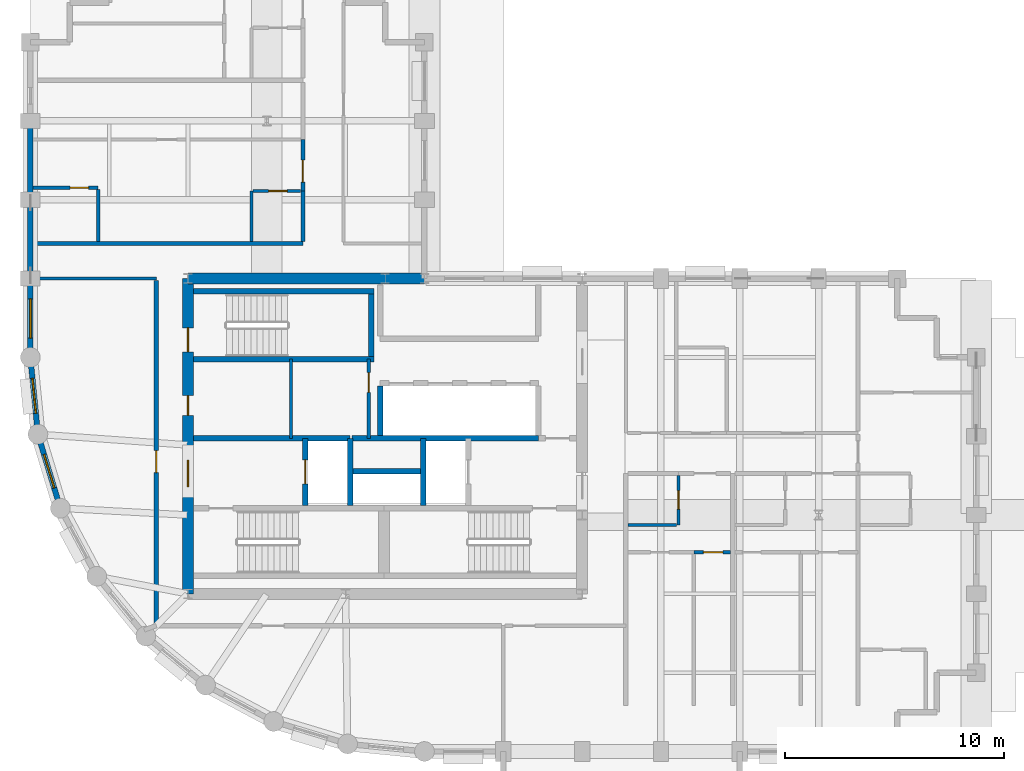
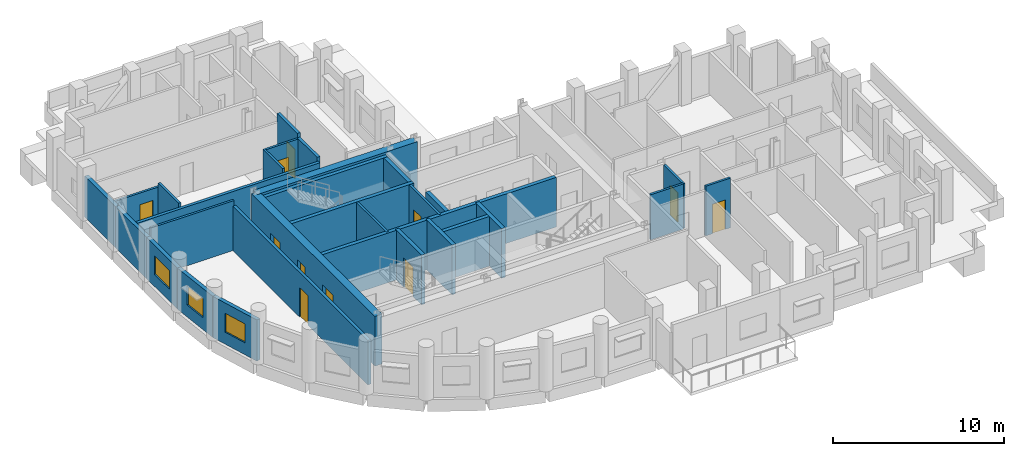
# One storey, part 4 of 10: 31 walls, 11 doors, 3 windows, 14 openings.
"""IFC4 building model written with IfcOpenShell, lengths in metres."""

from ifc_helpers import new_model, si_unit, direction, frame, frame_2d, origin, place, context, subcontext, project, spatial, rectangle, extrude, material, layer, layer_set, type_object, element, fill, save


model = new_model("IFC4")

# Units and contexts
model_context = context("Model", 3, precision=1e-05, world=origin(), true_north=direction((0.0, 1.0)))
body_context = subcontext(model_context, "Body", "Model", "MODEL_VIEW")
ifc_project = project(units=[si_unit("LENGTHUNIT", "METRE"), si_unit("AREAUNIT", "SQUARE_METRE"), si_unit("VOLUMEUNIT", "CUBIC_METRE"), si_unit("PLANEANGLEUNIT", "RADIAN"), si_unit("MASSUNIT", "GRAM", prefix="KILO")], contexts=[model_context])

# Site, building, storey
site_placement = place(None, origin())
site = spatial("IfcSite", under=ifc_project, at=site_placement, CompositionType="ELEMENT")
building_placement = place(site_placement, origin())
building = spatial("IfcBuilding", under=site, at=building_placement, Name="Solnavia Interchange Tower", CompositionType="ELEMENT")
storey_placement = place(building_placement, frame((0.0, 0.0, 174.800048828125)))
storey = spatial("IfcBuildingStorey", under=building, at=storey_placement, Name="L43", CompositionType="ELEMENT", Elevation=174.800048828125)

# Wall, opening, door
ifc_material_1 = material(Name="Gypsum Acoustic Twin-Stud & Mineral Wool", Category="gypsum")
ifc_layer_1 = layer(ifc_material_1, 0.199951171875)
ifc_layer_set_1 = layer_set([ifc_layer_1], Name="Gypsum Acoustic Twin-Stud & Mineral Wool")
wall_type_1 = type_object("IfcWallType", Name="Wall-ApartmentParty-200", PredefinedType="PARTITIONING", material=ifc_layer_set_1)
wall_1_placement = place(storey_placement, frame((12.949951171875, 9.35009765625, 0.0), z_axis=(0.0, 0.0, 1.0), x_axis=(0.0, 1.0, 0.0)))
wall_1 = element("IfcWall", 1, at=wall_1_placement, inside=storey, type_object=wall_type_1, Name="PTW-L43-10 Interior partition wall", PredefinedType="PARTITIONING", context=body_context, shape_type="SweptSolid", body=[
    extrude(rectangle(XDim=15.77099609375, YDim=0.199951171875, at=frame_2d((7.885498046875, 0.0))), origin(), (0.0, 0.0, 1.0), 3.169921875),
])
opening_1_placement = place(wall_1_placement, frame((6.989990234375, 0.0, 0.0)))
opening_1 = element("IfcOpeningElement", 2, at=opening_1_placement, cuts=wall_1, Name="Opening DR-07", PredefinedType="OPENING", context=body_context, shape_type="SweptSolid", body=[
    extrude(rectangle(XDim=1.0, YDim=2.10009765625, at=frame_2d((0.5, 1.050048828125))), frame((0.0, 0.10986328125, 0.0), z_axis=(0.0, -1.0, 0.0), x_axis=(1.0, 0.0, 0.0)), (0.0, 0.0, 1.0), 0.219970703125),
])
ifc_material_2 = material(Name="Timber & Acoustic Glazed Office Door", Category="wood")
door_type_1 = type_object("IfcDoorType", Name="Door-Office-1000x2100", OperationType="SINGLE_SWING_RIGHT", PredefinedType="DOOR", material=ifc_material_2)
door_1_placement = place(opening_1_placement, origin())
door_1 = element("IfcDoor", 3, at=door_1_placement, inside=storey, type_object=door_type_1, Name="DR-L43-03 Interior room door", OperationType="SINGLE_SWING_LEFT", OverallHeight=2.10009765625, OverallWidth=1.0, PredefinedType="DOOR", context=body_context, shape_type="SweptSolid", body=[
    extrude(rectangle(XDim=1.0, YDim=2.10009765625, at=frame_2d((0.5, 1.050048828125))), frame((0.0, 0.02490234375, 0.0), z_axis=(0.0, -1.0, 0.0), x_axis=(1.0, 0.0, 0.0)), (0.0, 0.0, 1.0), 0.050048828125),
])
fill(opening_1, door_1)

# Walls
wall_2_placement = place(storey_placement, frame((7.3291015625, 26.800048828125, 0.0), z_axis=(0.0, 0.0, 1.0), x_axis=(1.0, 0.0, 0.0)))
element("IfcWall", 4, at=wall_2_placement, inside=storey, type_object=wall_type_1, Name="PTW-L43-39 Interior partition wall", PredefinedType="PARTITIONING", context=body_context, shape_type="SweptSolid", body=[
    extrude(rectangle(XDim=12.32080078125, YDim=0.199951171875, at=frame_2d((6.160400390625, 0.0))), origin(), (0.0, 0.0, 1.0), 2.929931640625),
])
wall_3_placement = place(storey_placement, frame((19.64990234375, 26.904052734375, 0.0), z_axis=(0.0, 0.0, 1.0), x_axis=(0.0, 1.0, 0.0)))
element("IfcWall", 5, at=wall_3_placement, inside=storey, type_object=wall_type_1, Name="PTW-L43-41 Interior partition wall", PredefinedType="PARTITIONING", context=body_context, shape_type="SweptSolid", body=[
    extrude(rectangle(XDim=2.2958984375, YDim=0.199951171875, at=frame_2d((1.14794921875, 0.0))), origin(), (0.0, 0.0, 1.0), 3.219970703125),
])

# Wall, opening, door
wall_4_placement = place(storey_placement, frame((19.64990234375, 29.199951171875, 0.0), z_axis=(0.0, 0.0, 1.0), x_axis=(0.0, 1.0, 0.0)))
wall_4 = element("IfcWall", 6, at=wall_4_placement, inside=storey, type_object=wall_type_1, Name="PTW-L43-44 Interior partition wall", PredefinedType="PARTITIONING", context=body_context, shape_type="SweptSolid", body=[
    extrude(rectangle(XDim=2.35009765625, YDim=0.199951171875, at=frame_2d((1.175048828125, 0.0))), origin(), (0.0, 0.0, 1.0), 3.534912109375),
])
opening_2_placement = place(wall_4_placement, frame((0.407958984375, 0.0, 0.0)))
opening_2 = element("IfcOpeningElement", 7, at=opening_2_placement, cuts=wall_4, Name="Opening DR-06", PredefinedType="OPENING", context=body_context, shape_type="SweptSolid", body=[
    extrude(rectangle(XDim=1.0, YDim=2.10009765625, at=frame_2d((0.5, 1.050048828125))), frame((0.0, 0.10986328125, 0.0), z_axis=(0.0, -1.0, 0.0), x_axis=(1.0, 0.0, 0.0)), (0.0, 0.0, 1.0), 0.219970703125),
])
ifc_material_3 = material(Name="Engineered Timber Acoustic Fire Door", Category="wood")
door_type_2 = type_object("IfcDoorType", Name="Door-FlatEntry-1000x2100", OperationType="SINGLE_SWING_LEFT", PredefinedType="DOOR", material=ifc_material_3)
door_2_placement = place(opening_2_placement, origin())
door_2 = element("IfcDoor", 8, at=door_2_placement, inside=storey, type_object=door_type_2, Name="DR-L43-20 Interior room door", OperationType="SINGLE_SWING_RIGHT", OverallHeight=2.10009765625, OverallWidth=1.0, PredefinedType="DOOR", context=body_context, shape_type="SweptSolid", body=[
    extrude(rectangle(XDim=1.0, YDim=2.10009765625, at=frame_2d((0.5, 1.050048828125))), frame((0.0, 0.02490234375, 0.0), z_axis=(0.0, -1.0, 0.0), x_axis=(1.0, 0.0, 0.0)), (0.0, 0.0, 1.0), 0.050048828125),
])
fill(opening_2, door_2)

# Walls
ifc_material_4 = material(Name="Concrete C40/50", Category="concrete")
ifc_layer_2 = layer(ifc_material_4, 0.25)
ifc_layer_set_2 = layer_set([ifc_layer_2], Name="Concrete C40/50")
wall_type_2 = type_object("IfcWallType", Name="Wall-ExtSpandrel-250", PredefinedType="STANDARD", material=ifc_layer_set_2)
wall_5_placement = place(storey_placement, frame((7.199951171875, 28.800048828125, 0.0), z_axis=(0.0, 0.0, 1.0), x_axis=(0.0, 1.0, 0.0)))
element("IfcWall", 9, at=wall_5_placement, inside=storey, type_object=wall_type_2, Name="EXW-L43-42 Exterior precast spandrel wall", PredefinedType="STANDARD", context=body_context, shape_type="SweptSolid", body=[
    extrude(rectangle(XDim=3.599853515625, YDim=0.25, at=frame_2d((1.7998046875, 0.0))), origin(), (0.0, 0.0, 1.0), 2.929931640625),
])
wall_6_placement = place(storey_placement, frame((7.199951171875, 25.199951171875, 0.0), z_axis=(0.0, 0.0, 1.0), x_axis=(0.0, 1.0, 0.0)))
element("IfcWall", 10, at=wall_6_placement, inside=storey, type_object=wall_type_2, Name="EXW-L43-43 Exterior precast spandrel wall", PredefinedType="STANDARD", context=body_context, shape_type="SweptSolid", body=[
    extrude(rectangle(XDim=3.60009765625, YDim=0.25, at=frame_2d((1.800048828125, 0.0))), origin(), (0.0, 0.0, 1.0), 2.929931640625),
])

# Wall, opening, window
wall_7_placement = place(storey_placement, frame((7.199951171875, 21.60009765625, 0.0), z_axis=(0.0, 0.0, 1.0), x_axis=(0.0, 1.0, 0.0)))
wall_7 = element("IfcWall", 11, at=wall_7_placement, inside=storey, type_object=wall_type_2, Name="EXW-L43-44 Exterior precast spandrel wall", PredefinedType="STANDARD", context=body_context, shape_type="SweptSolid", body=[
    extrude(rectangle(XDim=3.599853515625, YDim=0.25, at=frame_2d((1.7998046875, 0.0))), origin(), (0.0, 0.0, 1.0), 2.929931640625),
])
opening_3_placement = place(wall_7_placement, frame((0.875, 0.0, 0.85009765625)))
opening_3 = element("IfcOpeningElement", 12, at=opening_3_placement, cuts=wall_7, Name="Opening WIN-02", PredefinedType="OPENING", context=body_context, shape_type="SweptSolid", body=[
    extrude(rectangle(XDim=1.800048828125, YDim=1.35009765625, at=frame_2d((0.89990234375, 0.675048828125))), frame((0.0, 0.135009765625, 0.0), z_axis=(0.0, -1.0, 0.0), x_axis=(1.0, 0.0, 0.0)), (0.0, 0.0, 1.0), 0.27001953125),
])
ifc_material_5 = material(Name="Thermal-Break Aluminium & Low-E Glass", Category="aluminium")
window_type_1 = type_object("IfcWindowType", Name="Window-Ribbon-1800x1350", PartitioningType="SINGLE_PANEL", PredefinedType="WINDOW", material=ifc_material_5)
window_1_placement = place(opening_3_placement, origin())
window_1 = element("IfcWindow", 13, at=window_1_placement, inside=storey, type_object=window_type_1, Name="WIN-L43-44 Facade ribbon window", OverallHeight=1.35009765625, OverallWidth=1.800048828125, PartitioningType="SINGLE_PANEL", PredefinedType="WINDOW", context=body_context, shape_type="SweptSolid", body=[
    extrude(rectangle(XDim=1.800048828125, YDim=1.35009765625, at=frame_2d((0.89990234375, 0.675048828125))), frame((0.0, 0.030029296875, 0.0), z_axis=(0.0, -1.0, 0.0), x_axis=(1.0, 0.0, 0.0)), (0.0, 0.0, 1.0), 0.06005859375),
])
fill(opening_3, window_1)

wall_8_placement = place(storey_placement, frame((7.5458984375, 18.087890625, 0.0), z_axis=(0.0, 0.0, 1.0), x_axis=(-0.09802417461, 0.995184033831, 0.0)))
wall_8 = element("IfcWall", 14, at=wall_8_placement, inside=storey, type_object=wall_type_2, Name="EXW-L43-45 Exterior precast spandrel wall", PredefinedType="STANDARD", context=body_context, shape_type="SweptSolid", body=[
    extrude(rectangle(XDim=3.529296875, YDim=0.25, at=frame_2d((1.7646484375, 0.0))), origin(), (0.0, 0.0, 1.0), 2.929931640625),
])
opening_4_placement = place(wall_8_placement, frame((0.965087890625, 0.0, 0.85009765625)))
opening_4 = element("IfcOpeningElement", 15, at=opening_4_placement, cuts=wall_8, Name="Opening WIN-04", PredefinedType="OPENING", context=body_context, shape_type="SweptSolid", body=[
    extrude(rectangle(XDim=1.60009765625, YDim=1.35009765625, at=frame_2d((0.800048828125, 0.675048828125))), frame((0.0, 0.135009765625, 0.0), z_axis=(0.0, -1.0, 0.0), x_axis=(1.0, 0.0, 0.0)), (0.0, 0.0, 1.0), 0.27001953125),
])
window_type_2 = type_object("IfcWindowType", Name="Window-Drum-1600x1350", PartitioningType="SINGLE_PANEL", PredefinedType="WINDOW", material=ifc_material_5)
window_2_placement = place(opening_4_placement, origin())
window_2 = element("IfcWindow", 16, at=window_2_placement, inside=storey, type_object=window_type_2, Name="WIN-L43-45 Facade ribbon window", OverallHeight=1.35009765625, OverallWidth=1.60009765625, PartitioningType="SINGLE_PANEL", PredefinedType="WINDOW", context=body_context, shape_type="SweptSolid", body=[
    extrude(rectangle(XDim=1.60009765625, YDim=1.35009765625, at=frame_2d((0.800048828125, 0.675048828125))), frame((0.0, 0.030029296875, 0.0), z_axis=(0.0, -1.0, 0.0), x_axis=(1.0, 0.0, 0.0)), (0.0, 0.0, 1.0), 0.06005859375),
])
fill(opening_4, window_2)

wall_9_placement = place(storey_placement, frame((8.570068359375, 14.7119140625, 0.0), z_axis=(0.0, 0.0, 1.0), x_axis=(-0.290305086481, 0.956934144423, 0.0)))
wall_9 = element("IfcWall", 17, at=wall_9_placement, inside=storey, type_object=wall_type_2, Name="EXW-L43-46 Exterior precast spandrel wall", PredefinedType="STANDARD", context=body_context, shape_type="SweptSolid", body=[
    extrude(rectangle(XDim=3.52783203125, YDim=0.25, at=frame_2d((1.763916015625, 0.0))), origin(), (0.0, 0.0, 1.0), 2.929931640625),
])
opening_5_placement = place(wall_9_placement, frame((0.964111328125, 0.0, 0.85009765625)))
opening_5 = element("IfcOpeningElement", 18, at=opening_5_placement, cuts=wall_9, Name="Opening WIN-04", PredefinedType="OPENING", context=body_context, shape_type="SweptSolid", body=[
    extrude(rectangle(XDim=1.60009765625, YDim=1.35009765625, at=frame_2d((0.800048828125, 0.675048828125))), frame((0.0, 0.135009765625, 0.0), z_axis=(0.0, -1.0, 0.0), x_axis=(1.0, 0.0, 0.0)), (0.0, 0.0, 1.0), 0.27001953125),
])
window_3_placement = place(opening_5_placement, origin())
window_3 = element("IfcWindow", 19, at=window_3_placement, inside=storey, type_object=window_type_2, Name="WIN-L43-46 Facade ribbon window", OverallHeight=1.35009765625, OverallWidth=1.60009765625, PartitioningType="SINGLE_PANEL", PredefinedType="WINDOW", context=body_context, shape_type="SweptSolid", body=[
    extrude(rectangle(XDim=1.60009765625, YDim=1.35009765625, at=frame_2d((0.800048828125, 0.675048828125))), frame((0.0, 0.030029296875, 0.0), z_axis=(0.0, -1.0, 0.0), x_axis=(1.0, 0.0, 0.0)), (0.0, 0.0, 1.0), 0.06005859375),
])
fill(opening_5, window_3)

# Wall, opening, door
ifc_material_6 = material(Name="Gypsum Plasterboard & Steel Stud", Category="steel")
ifc_layer_3 = layer(ifc_material_6, 0.14990234375)
ifc_layer_set_3 = layer_set([ifc_layer_3], Name="Gypsum Plasterboard & Steel Stud")
wall_type_3 = type_object("IfcWallType", Name="Wall-Partition-150", PredefinedType="PARTITIONING", material=ifc_layer_set_3)
wall_10_placement = place(storey_placement, frame((22.64990234375, 17.89990234375, 0.0), z_axis=(0.0, 0.0, 1.0), x_axis=(0.0, 1.0, 0.0)))
wall_10 = element("IfcWall", 20, at=wall_10_placement, inside=storey, type_object=wall_type_3, Name="CSW-L43-E Core shaft wall", PredefinedType="PARTITIONING", context=body_context, shape_type="SweptSolid", body=[
    extrude(rectangle(XDim=3.625, YDim=0.14990234375, at=frame_2d((1.8125, 0.0))), origin(), (0.0, 0.0, 1.0), 3.534912109375),
])
opening_6_placement = place(wall_10_placement, frame((2.10009765625, 0.0, 0.0)))
opening_6 = element("IfcOpeningElement", 21, at=opening_6_placement, cuts=wall_10, Name="Opening DR-09", PredefinedType="OPENING", context=body_context, shape_type="SweptSolid", body=[
    extrude(rectangle(XDim=0.89990234375, YDim=2.10009765625, at=frame_2d((0.449951171875, 1.050048828125))), frame((0.0, 0.0849609375, 0.0), z_axis=(0.0, -1.0, 0.0), x_axis=(1.0, 0.0, 0.0)), (0.0, 0.0, 1.0), 0.169921875),
])
ifc_material_7 = material(Name="Engineered Oak Veneer Door", Category="wood")
door_type_3 = type_object("IfcDoorType", Name="Door-Internal-900x2100", OperationType="SINGLE_SWING_LEFT", PredefinedType="DOOR", material=ifc_material_7)
door_3_placement = place(opening_6_placement, origin())
door_3 = element("IfcDoor", 22, at=door_3_placement, inside=storey, type_object=door_type_3, Name="DR-L43-CS2 Core fire door", OperationType="SINGLE_SWING_LEFT", OverallHeight=2.10009765625, OverallWidth=0.89990234375, PredefinedType="DOOR", context=body_context, shape_type="SweptSolid", body=[
    extrude(rectangle(XDim=0.89990234375, YDim=2.10009765625, at=frame_2d((0.449951171875, 1.050048828125))), frame((0.0, 0.02490234375, 0.0), z_axis=(0.0, -1.0, 0.0), x_axis=(1.0, 0.0, 0.0)), (0.0, 0.0, 1.0), 0.050048828125),
])
fill(opening_6, door_3)

# Walls
wall_11_placement = place(storey_placement, frame((19.10009765625, 17.89990234375, 0.0), z_axis=(0.0, 0.0, 1.0), x_axis=(0.0, 1.0, 0.0)))
element("IfcWall", 23, at=wall_11_placement, inside=storey, type_object=wall_type_3, Name="CSW-L43-M1 Core shaft wall", PredefinedType="PARTITIONING", context=body_context, shape_type="SweptSolid", body=[
    extrude(rectangle(XDim=3.625, YDim=0.14990234375, at=frame_2d((1.8125, 0.0))), origin(), (0.0, 0.0, 1.0), 3.534912109375),
])
wall_12_placement = place(storey_placement, frame((7.3291015625, 25.199951171875, 0.0), z_axis=(0.0, 0.0, 1.0), x_axis=(1.0, 0.0, 0.0)))
element("IfcWall", 24, at=wall_12_placement, inside=storey, type_object=wall_type_3, Name="PTW-L43-07 Interior partition wall", PredefinedType="PARTITIONING", context=body_context, shape_type="SweptSolid", body=[
    extrude(rectangle(XDim=5.620849609375, YDim=0.14990234375, at=frame_2d((2.810546875, 0.0))), origin(), (0.0, 0.0, 1.0), 3.534912109375),
])

# Wall, opening, door
wall_13_placement = place(storey_placement, frame((37.5, 12.699951171875, 0.0), z_axis=(0.0, 0.0, 1.0), x_axis=(1.0, 0.0, 0.0)))
wall_13 = element("IfcWall", 25, at=wall_13_placement, inside=storey, type_object=wall_type_3, Name="PTW-L43-19 Interior partition wall", PredefinedType="PARTITIONING", context=body_context, shape_type="SweptSolid", body=[
    extrude(rectangle(XDim=1.676025390625, YDim=0.14990234375, at=frame_2d((0.837890625, 0.0))), origin(), (0.0, 0.0, 1.0), 3.534912109375),
])
opening_7_placement = place(wall_13_placement, frame((0.43310546875, 0.0, 0.0)))
opening_7 = element("IfcOpeningElement", 26, at=opening_7_placement, cuts=wall_13, Name="Opening DR-09", PredefinedType="OPENING", context=body_context, shape_type="SweptSolid", body=[
    extrude(rectangle(XDim=0.89990234375, YDim=2.10009765625, at=frame_2d((0.449951171875, 1.050048828125))), frame((0.0, 0.0849609375, 0.0), z_axis=(0.0, -1.0, 0.0), x_axis=(1.0, 0.0, 0.0)), (0.0, 0.0, 1.0), 0.169921875),
])
door_4_placement = place(opening_7_placement, origin())
door_4 = element("IfcDoor", 27, at=door_4_placement, inside=storey, type_object=door_type_3, Name="DR-L43-08 Interior room door", OperationType="SINGLE_SWING_RIGHT", OverallHeight=2.10009765625, OverallWidth=0.89990234375, PredefinedType="DOOR", context=body_context, shape_type="SweptSolid", body=[
    extrude(rectangle(XDim=0.89990234375, YDim=2.10009765625, at=frame_2d((0.449951171875, 1.050048828125))), frame((0.0, 0.02490234375, 0.0), z_axis=(0.0, -1.0, 0.0), x_axis=(1.0, 0.0, 0.0)), (0.0, 0.0, 1.0), 0.050048828125),
])
fill(opening_7, door_4)

# Walls
ifc_layer_4 = layer(ifc_material_4, 0.25)
ifc_layer_set_4 = layer_set([ifc_layer_4], Name="Concrete C40/50")
wall_type_4 = type_object("IfcWallType", Name="Wall-ShaftCore-250", PredefinedType="SHEAR", material=ifc_layer_set_4)
for number, where, z_axis, x_axis, name in (
    (28, (14.64990234375, 21.52490234375, 0.0), (0.0, 0.0, 1.0), (1.0, 0.0, 0.0), "SHW-L43-ST3S Core shear wall"),
    (29, (14.64990234375, 24.614990234375, 0.0), (0.0, 0.0, 1.0), (1.0, 0.0, 0.0), "SHW-L43-ST3N Core shear wall"),
):
    element("IfcWall", number, at=place(storey_placement, frame(where, z_axis=z_axis, x_axis=x_axis)), inside=storey, type_object=wall_type_4, Name=name, PredefinedType="SHEAR", context=body_context, shape_type="SweptSolid", body=[
        extrude(rectangle(XDim=8.25, YDim=0.25, at=frame_2d((4.125, 0.0))), origin(), (0.0, 0.0, 1.0), 3.550048828125),
    ])
wall_14_placement = place(storey_placement, frame((22.77490234375, 21.64990234375, 0.0), z_axis=(0.0, 0.0, 1.0), x_axis=(0.0, 1.0, 0.0)))
element("IfcWall", 30, at=wall_14_placement, inside=storey, type_object=wall_type_4, Name="SHW-L43-ST3E Core shear wall", PredefinedType="SHEAR", context=body_context, shape_type="SweptSolid", body=[
    extrude(rectangle(XDim=2.840087890625, YDim=0.25, at=frame_2d((1.419921875, 0.0))), origin(), (0.0, 0.0, 1.0), 3.550048828125),
])
ifc_layer_5 = layer(ifc_material_4, 0.25)
ifc_layer_set_5 = layer_set([ifc_layer_5], Name="Concrete C40/50")
wall_type_5 = type_object("IfcWallType", Name="Wall-ShaftPart-250", PredefinedType="PARTITIONING", material=ifc_layer_set_5)
wall_15_placement = place(storey_placement, frame((14.64990234375, 17.89990234375, 0.0), z_axis=(0.0, 0.0, 1.0), x_axis=(1.0, 0.0, 0.0)))
element("IfcWall", 31, at=wall_15_placement, inside=storey, type_object=wall_type_5, Name="SHW-L43-FFLW-N Core shaft wall", PredefinedType="PARTITIONING", context=body_context, shape_type="SweptSolid", body=[
    extrude(rectangle(XDim=7.150146484375, YDim=0.25, at=frame_2d((3.5751953125, 0.0))), origin(), (0.0, 0.0, 1.0), 3.534912109375),
])

# Wall, opening, door
wall_16_placement = place(storey_placement, frame((19.75, 14.840087890625, 0.0), z_axis=(0.0, 0.0, 1.0), x_axis=(0.0, 1.0, 0.0)))
wall_16 = element("IfcWall", 32, at=wall_16_placement, inside=storey, type_object=wall_type_5, Name="SHW-L43-FFL1-W Core shaft wall", PredefinedType="PARTITIONING", context=body_context, shape_type="SweptSolid", body=[
    extrude(rectangle(XDim=3.059814453125, YDim=0.25, at=frame_2d((1.52978515625, 0.0))), origin(), (0.0, 0.0, 1.0), 3.534912109375),
])
opening_8_placement = place(wall_16_placement, frame((0.97998046875, 0.0, 0.0)))
opening_8 = element("IfcOpeningElement", 33, at=opening_8_placement, cuts=wall_16, Name="Opening LD-01", PredefinedType="OPENING", context=body_context, shape_type="SweptSolid", body=[
    extrude(rectangle(XDim=1.10009765625, YDim=2.10009765625, at=frame_2d((0.550048828125, 1.050048828125))), frame((0.0, 0.135009765625, 0.0), z_axis=(0.0, -1.0, 0.0), x_axis=(1.0, 0.0, 0.0)), (0.0, 0.0, 1.0), 0.27001953125),
])
ifc_material_8 = material(Name="Brushed Stainless Steel Sliding Door", Category="steel")
door_type_4 = type_object("IfcDoorType", Name="Door-LiftLanding-1100x2100", OperationType="SLIDING_TO_LEFT", PredefinedType="DOOR", material=ifc_material_8)
door_5_placement = place(opening_8_placement, origin())
door_5 = element("IfcDoor", 34, at=door_5_placement, inside=storey, type_object=door_type_4, Name="LD-L43-FFL1 Lift landing sliding door", OperationType="SLIDING_TO_LEFT", OverallHeight=2.10009765625, OverallWidth=1.10009765625, PredefinedType="DOOR", context=body_context, shape_type="SweptSolid", body=[
    extrude(rectangle(XDim=1.10009765625, YDim=2.10009765625, at=frame_2d((0.550048828125, 1.050048828125))), frame((0.0, 0.02490234375, 0.0), z_axis=(0.0, -1.0, 0.0), x_axis=(1.0, 0.0, 0.0)), (0.0, 0.0, 1.0), 0.050048828125),
])
fill(opening_8, door_5)

# Walls
wall_17_placement = place(storey_placement, frame((21.800048828125, 14.840087890625, 0.0), z_axis=(0.0, 0.0, 1.0), x_axis=(0.0, 1.0, 0.0)))
element("IfcWall", 35, at=wall_17_placement, inside=storey, type_object=wall_type_5, Name="SHW-L43-FFL1-E Core shaft wall", PredefinedType="PARTITIONING", context=body_context, shape_type="SweptSolid", body=[
    extrude(rectangle(XDim=3.059814453125, YDim=0.25, at=frame_2d((1.52978515625, 0.0))), origin(), (0.0, 0.0, 1.0), 3.534912109375),
])
wall_18_placement = place(storey_placement, frame((21.8798828125, 17.89990234375, 0.0), z_axis=(0.0, 0.0, 1.0), x_axis=(1.0, 0.0, 0.0)))
element("IfcWall", 36, at=wall_18_placement, inside=storey, type_object=wall_type_5, Name="SHW-L43-FFLE-N1 Core shaft wall", PredefinedType="PARTITIONING", context=body_context, shape_type="SweptSolid", body=[
    extrude(rectangle(XDim=8.52001953125, YDim=0.25, at=frame_2d((4.260009765625, 0.0))), origin(), (0.0, 0.0, 1.0), 3.534912109375),
])
wall_19_placement = place(storey_placement, frame((25.14990234375, 14.840087890625, 0.0), z_axis=(0.0, 0.0, 1.0), x_axis=(0.0, 1.0, 0.0)))
element("IfcWall", 37, at=wall_19_placement, inside=storey, type_object=wall_type_5, Name="SHW-L43-FFL2-W Core shaft wall", PredefinedType="PARTITIONING", context=body_context, shape_type="SweptSolid", body=[
    extrude(rectangle(XDim=3.059814453125, YDim=0.25, at=frame_2d((1.52978515625, 0.0))), origin(), (0.0, 0.0, 1.0), 3.534912109375),
])
wall_20_placement = place(storey_placement, frame((21.800048828125, 16.39990234375, 0.0), z_axis=(0.0, 0.0, 1.0), x_axis=(1.0, 0.0, 0.0)))
element("IfcWall", 38, at=wall_20_placement, inside=storey, type_object=wall_type_5, Name="SHW-L43-MEP-N Core shaft wall", PredefinedType="PARTITIONING", context=body_context, shape_type="SweptSolid", body=[
    extrude(rectangle(XDim=3.349853515625, YDim=0.25, at=frame_2d((1.6748046875, 0.0))), origin(), (0.0, 0.0, 1.0), 3.534912109375),
])
wall_21_placement = place(storey_placement, frame((23.179931640625, 18.02490234375, 0.0), z_axis=(0.0, 0.0, 1.0), x_axis=(0.0, 1.0, 0.0)))
element("IfcWall", 39, at=wall_21_placement, inside=storey, type_object=wall_type_5, Name="SHW-L43-B2W Core shaft wall", PredefinedType="PARTITIONING", context=body_context, shape_type="SweptSolid", body=[
    extrude(rectangle(XDim=2.27001953125, YDim=0.25, at=frame_2d((1.135009765625, 0.0))), origin(), (0.0, 0.0, 1.0), 3.534912109375),
])
ifc_material_9 = material(Name="Concrete C60/75", Category="concrete")
ifc_layer_6 = layer(ifc_material_9, 0.5)
ifc_layer_set_6 = layer_set([ifc_layer_6], Name="Concrete C60/75")
wall_type_6 = type_object("IfcWallType", Name="Wall-ShearCore-500", PredefinedType="SHEAR", material=ifc_layer_set_6)
wall_22_placement = place(storey_placement, frame((14.39990234375, 25.199951171875, 0.0), z_axis=(0.0, 0.0, 1.0), x_axis=(1.0, 0.0, 0.0)))
element("IfcWall", 40, at=wall_22_placement, inside=storey, type_object=wall_type_6, Name="CRW-L43-N Core shear wall", PredefinedType="SHEAR", context=body_context, shape_type="SweptSolid", body=[
    extrude(rectangle(XDim=10.800048828125, YDim=0.5, at=frame_2d((5.39990234375, 0.0))), origin(), (0.0, 0.0, 1.0), 3.550048828125),
])

# Wall, openings, doors
wall_23_placement = place(storey_placement, frame((14.39990234375, 10.800048828125, 0.0), z_axis=(0.0, 0.0, 1.0), x_axis=(0.0, 1.0, 0.0)))
wall_23 = element("IfcWall", 41, at=wall_23_placement, inside=storey, type_object=wall_type_6, Name="CRW-L43-W Core shear wall", PredefinedType="SHEAR", context=body_context, shape_type="SweptSolid", body=[
    extrude(rectangle(XDim=14.39990234375, YDim=0.5, at=frame_2d((7.199951171875, 0.0))), origin(), (0.0, 0.0, 1.0), 3.550048828125),
])
opening_9_placement = place(wall_23_placement, frame((11.050048828125, 0.0, 0.0)))
opening_9 = element("IfcOpeningElement", 42, at=opening_9_placement, cuts=wall_23, Name="Opening DR-01", PredefinedType="OPENING", context=body_context, shape_type="SweptSolid", body=[
    extrude(rectangle(XDim=1.10009765625, YDim=2.10009765625, at=frame_2d((0.550048828125, 1.050048828125))), frame((0.0, 0.260009765625, 0.0), z_axis=(0.0, -1.0, 0.0), x_axis=(1.0, 0.0, 0.0)), (0.0, 0.0, 1.0), 0.52001953125),
])
opening_10_placement = place(wall_23_placement, frame((4.89990234375, 0.0, 0.0)))
opening_10 = element("IfcOpeningElement", 43, at=opening_10_placement, cuts=wall_23, Name="Opening DR-02", PredefinedType="OPENING", context=body_context, shape_type="SweptSolid", body=[
    extrude(rectangle(XDim=1.199951171875, YDim=2.10009765625, at=frame_2d((0.60009765625, 1.050048828125))), frame((0.0, 0.260009765625, 0.0), z_axis=(0.0, -1.0, 0.0), x_axis=(1.0, 0.0, 0.0)), (0.0, 0.0, 1.0), 0.52001953125),
])
opening_11_placement = place(wall_23_placement, frame((8.14990234375, 0.0, 0.0)))
opening_11 = element("IfcOpeningElement", 44, at=opening_11_placement, cuts=wall_23, Name="Opening DR-09", PredefinedType="OPENING", context=body_context, shape_type="SweptSolid", body=[
    extrude(rectangle(XDim=0.89990234375, YDim=2.10009765625, at=frame_2d((0.449951171875, 1.050048828125))), frame((0.0, 0.260009765625, 0.0), z_axis=(0.0, -1.0, 0.0), x_axis=(1.0, 0.0, 0.0)), (0.0, 0.0, 1.0), 0.52001953125),
])
door_6_placement = place(opening_11_placement, origin())
door_6 = element("IfcDoor", 45, at=door_6_placement, inside=storey, type_object=door_type_3, Name="DR-L43-CS1 Core fire door", OperationType="SINGLE_SWING_RIGHT", OverallHeight=2.10009765625, OverallWidth=0.89990234375, PredefinedType="DOOR", context=body_context, shape_type="SweptSolid", body=[
    extrude(rectangle(XDim=0.89990234375, YDim=2.10009765625, at=frame_2d((0.449951171875, 1.050048828125))), frame((0.0, 0.02490234375, 0.0), z_axis=(0.0, -1.0, 0.0), x_axis=(1.0, 0.0, 0.0)), (0.0, 0.0, 1.0), 0.050048828125),
])
fill(opening_11, door_6)
ifc_material_10 = material(Name="Steel Fire-Rated Vision-Panel Door", Category="steel")
door_type_5 = type_object("IfcDoorType", Name="Door-LobbyFire-1200x2100", OperationType="SINGLE_SWING_RIGHT", PredefinedType="DOOR", material=ifc_material_10)
door_7_placement = place(opening_10_placement, origin())
door_7 = element("IfcDoor", 46, at=door_7_placement, inside=storey, type_object=door_type_5, Name="DR-L43-FFL1W Core fire door", OperationType="SINGLE_SWING_RIGHT", OverallHeight=2.10009765625, OverallWidth=1.199951171875, PredefinedType="DOOR", context=body_context, shape_type="SweptSolid", body=[
    extrude(rectangle(XDim=1.199951171875, YDim=2.10009765625, at=frame_2d((0.60009765625, 1.050048828125))), frame((0.0, 0.02490234375, 0.0), z_axis=(0.0, -1.0, 0.0), x_axis=(1.0, 0.0, 0.0)), (0.0, 0.0, 1.0), 0.050048828125),
])
fill(opening_10, door_7)
ifc_material_11 = material(Name="Steel Fire-Rated Leaf & Frame", Category="steel")
door_type_6 = type_object("IfcDoorType", Name="Door-StairFire-1100x2100", OperationType="SINGLE_SWING_LEFT", PredefinedType="DOOR", material=ifc_material_11)
door_8_placement = place(opening_9_placement, origin())
door_8 = element("IfcDoor", 47, at=door_8_placement, inside=storey, type_object=door_type_6, Name="DR-L43-ST3 Core fire door", OperationType="SINGLE_SWING_RIGHT", OverallHeight=2.10009765625, OverallWidth=1.10009765625, PredefinedType="DOOR", context=body_context, shape_type="SweptSolid", body=[
    extrude(rectangle(XDim=1.10009765625, YDim=2.10009765625, at=frame_2d((0.550048828125, 1.050048828125))), frame((0.0, 0.02490234375, 0.0), z_axis=(0.0, -1.0, 0.0), x_axis=(1.0, 0.0, 0.0)), (0.0, 0.0, 1.0), 0.050048828125),
])
fill(opening_9, door_8)

# Wall, opening, door
ifc_material_12 = material(Name="Moisture-Resistant Gypsum & Steel Stud", Category="steel")
ifc_layer_7 = layer(ifc_material_12, 0.14990234375)
ifc_layer_set_7 = layer_set([ifc_layer_7], Name="Moisture-Resistant Gypsum & Steel Stud")
wall_type_7 = type_object("IfcWallType", Name="Wall-WetRoom-150", PredefinedType="PARTITIONING", material=ifc_layer_set_7)
wall_24_placement = place(storey_placement, frame((36.800048828125, 13.949951171875, 0.0), z_axis=(0.0, 0.0, 1.0), x_axis=(0.0, 1.0, 0.0)))
wall_24 = element("IfcWall", 48, at=wall_24_placement, inside=storey, type_object=wall_type_7, Name="PTW-L43-16 Interior partition wall", PredefinedType="PARTITIONING", context=body_context, shape_type="SweptSolid", body=[
    extrude(rectangle(XDim=2.24609375, YDim=0.14990234375, at=frame_2d((1.123046875, 0.0))), origin(), (0.0, 0.0, 1.0), 3.169921875),
])
opening_12_placement = place(wall_24_placement, frame((0.719970703125, 0.0, 0.0)))
opening_12 = element("IfcOpeningElement", 49, at=opening_12_placement, cuts=wall_24, Name="Opening DR-10", PredefinedType="OPENING", context=body_context, shape_type="SweptSolid", body=[
    extrude(rectangle(XDim=0.85009765625, YDim=2.10009765625, at=frame_2d((0.425048828125, 1.050048828125))), frame((0.0, 0.0849609375, 0.0), z_axis=(0.0, -1.0, 0.0), x_axis=(1.0, 0.0, 0.0)), (0.0, 0.0, 1.0), 0.169921875),
])
ifc_material_13 = material(Name="Moisture-Resistant Timber Door", Category="wood")
door_type_7 = type_object("IfcDoorType", Name="Door-Bathroom-850x2100", OperationType="SINGLE_SWING_RIGHT", PredefinedType="DOOR", material=ifc_material_13)
door_9_placement = place(opening_12_placement, origin())
door_9 = element("IfcDoor", 50, at=door_9_placement, inside=storey, type_object=door_type_7, Name="DR-L43-06 Interior room door", OperationType="SINGLE_SWING_RIGHT", OverallHeight=2.10009765625, OverallWidth=0.85009765625, PredefinedType="DOOR", context=body_context, shape_type="SweptSolid", body=[
    extrude(rectangle(XDim=0.85009765625, YDim=2.10009765625, at=frame_2d((0.425048828125, 1.050048828125))), frame((0.0, 0.02490234375, 0.0), z_axis=(0.0, -1.0, 0.0), x_axis=(1.0, 0.0, 0.0)), (0.0, 0.0, 1.0), 0.050048828125),
])
fill(opening_12, door_9)

# Walls
wall_25_placement = place(storey_placement, frame((34.50390625, 13.949951171875, 0.0), z_axis=(0.0, 0.0, 1.0), x_axis=(1.0, 0.0, 0.0)))
element("IfcWall", 51, at=wall_25_placement, inside=storey, type_object=wall_type_7, Name="PTW-L43-17 Interior partition wall", PredefinedType="PARTITIONING", context=body_context, shape_type="SweptSolid", body=[
    extrude(rectangle(XDim=2.217041015625, YDim=0.14990234375, at=frame_2d((1.1083984375, 0.0))), origin(), (0.0, 0.0, 1.0), 3.219970703125),
])
wall_26_placement = place(storey_placement, frame((17.300048828125, 26.904052734375, 0.0), z_axis=(0.0, 0.0, 1.0), x_axis=(0.0, 1.0, 0.0)))
element("IfcWall", 52, at=wall_26_placement, inside=storey, type_object=wall_type_7, Name="PTW-L43-42 Interior partition wall", PredefinedType="PARTITIONING", context=body_context, shape_type="SweptSolid", body=[
    extrude(rectangle(XDim=2.2958984375, YDim=0.14990234375, at=frame_2d((1.14794921875, 0.0))), origin(), (0.0, 0.0, 1.0), 3.219970703125),
])

# Wall, opening, door
wall_27_placement = place(storey_placement, frame((17.37890625, 29.199951171875, 0.0), z_axis=(0.0, 0.0, 1.0), x_axis=(1.0, 0.0, 0.0)))
wall_27 = element("IfcWall", 53, at=wall_27_placement, inside=storey, type_object=wall_type_7, Name="PTW-L43-43 Interior partition wall", PredefinedType="PARTITIONING", context=body_context, shape_type="SweptSolid", body=[
    extrude(rectangle(XDim=2.1669921875, YDim=0.14990234375, at=frame_2d((1.08349609375, 0.0))), origin(), (0.0, 0.0, 1.0), 3.169921875),
])
opening_13_placement = place(wall_27_placement, frame((0.700927734375, 0.0, 0.0)))
opening_13 = element("IfcOpeningElement", 54, at=opening_13_placement, cuts=wall_27, Name="Opening DR-10", PredefinedType="OPENING", context=body_context, shape_type="SweptSolid", body=[
    extrude(rectangle(XDim=0.85009765625, YDim=2.10009765625, at=frame_2d((0.425048828125, 1.050048828125))), frame((0.0, 0.0849609375, 0.0), z_axis=(0.0, -1.0, 0.0), x_axis=(1.0, 0.0, 0.0)), (0.0, 0.0, 1.0), 0.169921875),
])
door_10_placement = place(opening_13_placement, origin())
door_10 = element("IfcDoor", 55, at=door_10_placement, inside=storey, type_object=door_type_7, Name="DR-L43-19 Interior room door", OperationType="SINGLE_SWING_RIGHT", OverallHeight=2.10009765625, OverallWidth=0.85009765625, PredefinedType="DOOR", context=body_context, shape_type="SweptSolid", body=[
    extrude(rectangle(XDim=0.85009765625, YDim=2.10009765625, at=frame_2d((0.425048828125, 1.050048828125))), frame((0.0, 0.02490234375, 0.0), z_axis=(0.0, -1.0, 0.0), x_axis=(1.0, 0.0, 0.0)), (0.0, 0.0, 1.0), 0.050048828125),
])
fill(opening_13, door_10)

wall_28_placement = place(storey_placement, frame((7.3291015625, 29.35009765625, 0.0), z_axis=(0.0, 0.0, 1.0), x_axis=(1.0, 0.0, 0.0)))
wall_28 = element("IfcWall", 56, at=wall_28_placement, inside=storey, type_object=wall_type_7, Name="PTW-L43-47 Interior partition wall", PredefinedType="PARTITIONING", context=body_context, shape_type="SweptSolid", body=[
    extrude(rectangle(XDim=2.970947265625, YDim=0.14990234375, at=frame_2d((1.4853515625, 0.0))), origin(), (0.0, 0.0, 1.0), 2.929931640625),
])
opening_14_placement = place(wall_28_placement, frame((1.68505859375, 0.0, 0.0)))
opening_14 = element("IfcOpeningElement", 57, at=opening_14_placement, cuts=wall_28, Name="Opening DR-10", PredefinedType="OPENING", context=body_context, shape_type="SweptSolid", body=[
    extrude(rectangle(XDim=0.85009765625, YDim=2.10009765625, at=frame_2d((0.425048828125, 1.050048828125))), frame((0.0, 0.0849609375, 0.0), z_axis=(0.0, -1.0, 0.0), x_axis=(1.0, 0.0, 0.0)), (0.0, 0.0, 1.0), 0.169921875),
])
door_11_placement = place(opening_14_placement, origin())
door_11 = element("IfcDoor", 58, at=door_11_placement, inside=storey, type_object=door_type_7, Name="DR-L43-22 Interior room door", OperationType="SINGLE_SWING_RIGHT", OverallHeight=2.10009765625, OverallWidth=0.85009765625, PredefinedType="DOOR", context=body_context, shape_type="SweptSolid", body=[
    extrude(rectangle(XDim=0.85009765625, YDim=2.10009765625, at=frame_2d((0.425048828125, 1.050048828125))), frame((0.0, 0.02490234375, 0.0), z_axis=(0.0, -1.0, 0.0), x_axis=(1.0, 0.0, 0.0)), (0.0, 0.0, 1.0), 0.050048828125),
])
fill(opening_14, door_11)

# Wall
wall_29_placement = place(storey_placement, frame((10.300048828125, 26.904052734375, 0.0), z_axis=(0.0, 0.0, 1.0), x_axis=(0.0, 1.0, 0.0)))
element("IfcWall", 59, at=wall_29_placement, inside=storey, type_object=wall_type_7, Name="PTW-L43-48 Interior partition wall", PredefinedType="PARTITIONING", context=body_context, shape_type="SweptSolid", body=[
    extrude(rectangle(XDim=2.366943359375, YDim=0.14990234375, at=frame_2d((1.18359375, 0.0))), origin(), (0.0, 0.0, 1.0), 3.219970703125),
])

save(model, "model.ifc")
